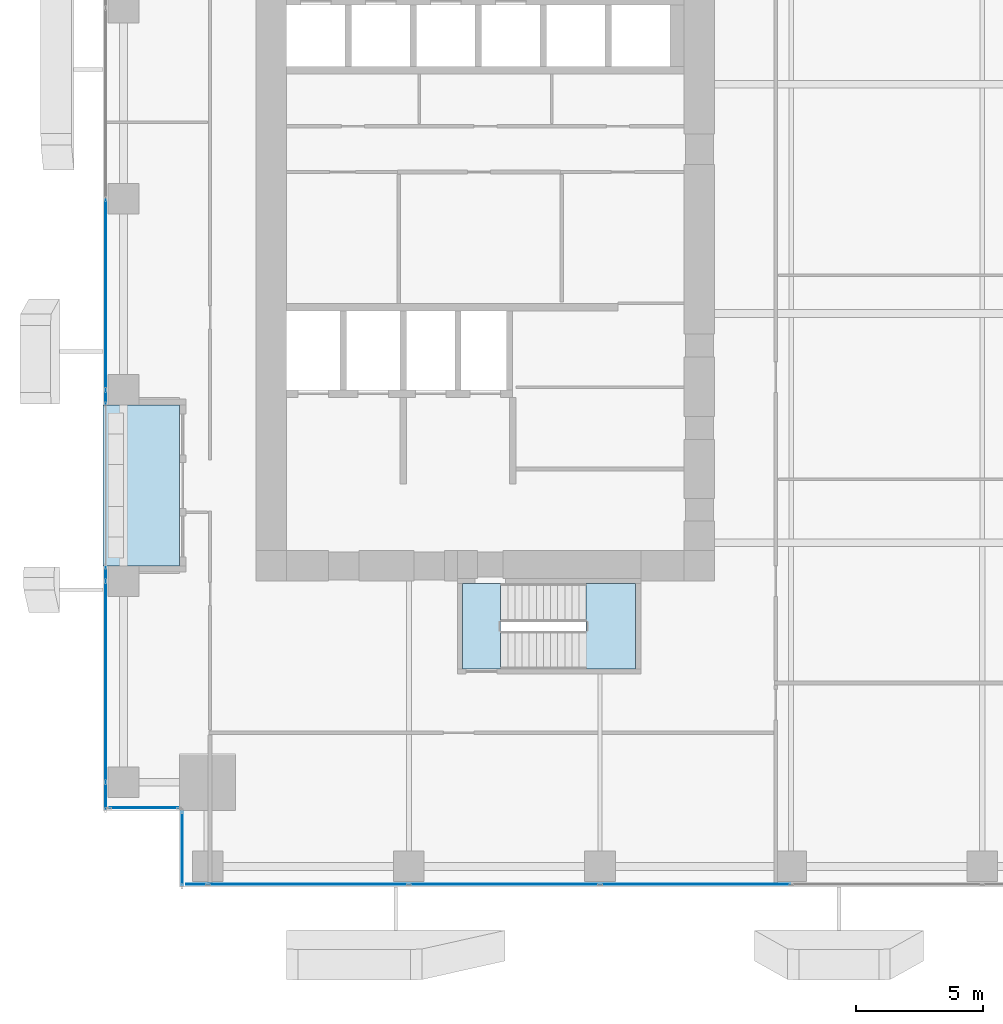
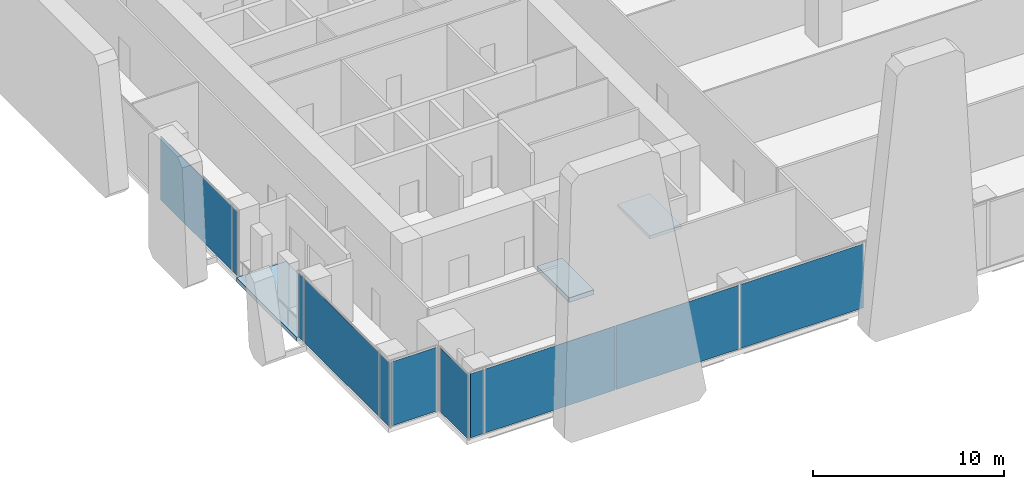
# One storey, part 22 of 34: 11 plates, 3 slabs, 6 elements without a shape of their own.
"""IFC4 building model written with IfcOpenShell, lengths in metres."""

from ifc_helpers import new_model, si_unit, direction, frame, origin, origin_2d, place, context, subcontext, project, spatial, polyline, rectangle, outline, extrude, source, transform, mapped, material, layer, layer_set, type_object, element, aggregate, save


model = new_model("IFC4")

# Units and contexts
model_context = context("Model", 3, precision=1e-05, world=origin(), true_north=direction((0.0, 1.0)))
body_context = subcontext(model_context, "Body", "Model", "MODEL_VIEW")
ifc_project = project(units=[si_unit("LENGTHUNIT", "METRE"), si_unit("AREAUNIT", "SQUARE_METRE"), si_unit("VOLUMEUNIT", "CUBIC_METRE"), si_unit("PLANEANGLEUNIT", "RADIAN"), si_unit("MASSUNIT", "GRAM", prefix="KILO")], contexts=[model_context])

# Site, building, storey
site_placement = place(None, origin())
site = spatial("IfcSite", under=ifc_project, at=site_placement, CompositionType="ELEMENT")
building_placement = place(site_placement, origin())
building = spatial("IfcBuilding", under=site, at=building_placement, Name="Khomas Fold Tower", CompositionType="ELEMENT")
storey_placement = place(building_placement, frame((0.0, 0.0, 51.0)))
storey = spatial("IfcBuildingStorey", under=building, at=storey_placement, Name="L10", CompositionType="ELEMENT", Elevation=51.0)

# Curtain wall, plates
ifc_material_1 = material(Name="Aluminium framed double glazing", Category="aluminium")
curtain_wall_type = type_object("IfcCurtainWallType", Name="SK-Unitised clear-glass wall, growing floors CW1", PredefinedType="NOTDEFINED", material=ifc_material_1)
curtain_wall_1_placement = place(storey_placement, origin())
curtain_wall_1 = element("IfcCurtainWall", 1, at=curtain_wall_1_placement, inside=storey, type_object=curtain_wall_type, Name="CW1 run L10 00-0", PredefinedType="NOTDEFINED")
ifc_material_2 = material(Name="Clear double glazed unit")
ifc_layer_1 = layer(ifc_material_2, 0.031982421875)
ifc_layer_set_1 = layer_set([ifc_layer_1], Name="Clear double glazed unit")
plate_type = type_object("IfcPlateType", Name="SK-Unitised clear-glass wall, growing floors glass panel CW1-P", PredefinedType="CURTAIN_PANEL", material=ifc_layer_set_1)
shared_shape_1 = source(origin(), body_context, "Body", "SweptSolid", [
    extrude(rectangle(XDim=0.81005859375, YDim=0.031982421875, at=origin_2d()), origin(), (0.0, 0.0, 1.0), 4.080078125),
])
plate_1_placement = place(storey_placement, frame((3.6650390625, 0.10009765625, 0.0), z_axis=(0.0, 0.0, 1.0), x_axis=(1.0, 0.0, 0.0)))
plate_1 = element("IfcPlate", 2, at=plate_1_placement, type_object=plate_type, Name="CW1 glass panel 1", PredefinedType="CURTAIN_PANEL", context=body_context, shape_type="MappedRepresentation", body=[
    mapped(shared_shape_1, transform((0.0, 0.0, 0.0))),
])
shared_shape_2 = source(origin(), body_context, "Body", "SweptSolid", [
    extrude(rectangle(XDim=7.840087890625, YDim=0.031982421875, at=origin_2d()), origin(), (0.0, 0.0, 1.0), 4.080078125),
])
plate_2_placement = place(storey_placement, frame((8.050048828125, 0.10009765625, 0.0), z_axis=(0.0, 0.0, 1.0), x_axis=(1.0, 0.0, 0.0)))
plate_2 = element("IfcPlate", 3, at=plate_2_placement, type_object=plate_type, Name="CW1 glass panel 2", PredefinedType="CURTAIN_PANEL", context=body_context, shape_type="MappedRepresentation", body=[
    mapped(shared_shape_2, transform((0.0, 0.0, 0.0))),
])

# Curtain wall, plate
curtain_wall_2_placement = place(storey_placement, origin())
curtain_wall_2 = element("IfcCurtainWall", 4, at=curtain_wall_2_placement, inside=storey, type_object=curtain_wall_type, Name="CW1 run L10 09-1", PredefinedType="NOTDEFINED")
plate_3_placement = place(storey_placement, frame((0.10009765625, 8.050048828125, 0.0), z_axis=(0.0, 0.0, 1.0), x_axis=(0.0, -1.0, 0.0)))
plate_3 = element("IfcPlate", 5, at=plate_3_placement, type_object=plate_type, Name="CW1 glass panel 2", PredefinedType="CURTAIN_PANEL", context=body_context, shape_type="MappedRepresentation", body=[
    mapped(shared_shape_2, transform((0.0, 0.0, 0.0))),
])

# Plate
shared_shape_3 = source(origin(), body_context, "Body", "SweptSolid", [
    extrude(rectangle(XDim=7.43994140625, YDim=0.031982421875, at=origin_2d()), origin(), (0.0, 0.0, 1.0), 4.080078125),
])
plate_4_placement = place(storey_placement, frame((15.75, 0.10009765625, 0.0), z_axis=(0.0, 0.0, 1.0), x_axis=(1.0, 0.0, 0.0)))
plate_4 = element("IfcPlate", 6, at=plate_4_placement, type_object=plate_type, Name="CW1 glass panel 3", PredefinedType="CURTAIN_PANEL", context=body_context, shape_type="MappedRepresentation", body=[
    mapped(shared_shape_3, transform((0.0, 0.0, 0.0))),
])

plate_5_placement = place(storey_placement, frame((23.25, 0.10009765625, 0.0), z_axis=(0.0, 0.0, 1.0), x_axis=(1.0, 0.0, 0.0)))
plate_5 = element("IfcPlate", 7, at=plate_5_placement, type_object=plate_type, Name="CW1 glass panel 4", PredefinedType="CURTAIN_PANEL", context=body_context, shape_type="MappedRepresentation", body=[
    mapped(shared_shape_3, transform((0.0, 0.0, 0.0))),
])

aggregate(curtain_wall_1, [plate_1, plate_2, plate_4, plate_5])

# Curtain wall, plate
curtain_wall_3_placement = place(storey_placement, origin())
curtain_wall_3 = element("IfcCurtainWall", 8, at=curtain_wall_3_placement, inside=storey, type_object=curtain_wall_type, Name="CW1 run L10 09-0", PredefinedType="NOTDEFINED")
plate_6_placement = place(storey_placement, frame((0.10009765625, 23.25, 0.0), z_axis=(0.0, 0.0, 1.0), x_axis=(0.0, -1.0, 0.0)))
plate_6 = element("IfcPlate", 9, at=plate_6_placement, type_object=plate_type, Name="CW1 glass panel 5", PredefinedType="CURTAIN_PANEL", context=body_context, shape_type="MappedRepresentation", body=[
    mapped(shared_shape_3, transform((0.0, 0.0, 0.0))),
])

# Plate
shared_shape_4 = source(origin(), body_context, "Body", "SweptSolid", [
    extrude(rectangle(XDim=1.010009765625, YDim=0.031982421875, at=origin_2d()), origin(), (0.0, 0.0, 1.0), 4.080078125),
])
plate_7_placement = place(storey_placement, frame((0.10009765625, 3.56494140625, 0.0), z_axis=(0.0, 0.0, 1.0), x_axis=(0.0, -1.0, 0.0)))
plate_7 = element("IfcPlate", 10, at=plate_7_placement, type_object=plate_type, Name="CW1 glass panel 3", PredefinedType="CURTAIN_PANEL", context=body_context, shape_type="MappedRepresentation", body=[
    mapped(shared_shape_4, transform((0.0, 0.0, 0.0))),
])

# Curtain wall, plate
curtain_wall_4_placement = place(storey_placement, origin())
curtain_wall_4 = element("IfcCurtainWall", 11, at=curtain_wall_4_placement, inside=storey, type_object=curtain_wall_type, Name="CW1 corner return L10 10", PredefinedType="NOTDEFINED")
shared_shape_5 = source(origin(), body_context, "Body", "SweptSolid", [
    extrude(rectangle(XDim=2.679931640625, YDim=0.031982421875, at=origin_2d()), origin(), (0.0, 0.0, 1.0), 4.080078125),
])
plate_8_placement = place(storey_placement, frame((1.60009765625, 3.10009765625, 0.0), z_axis=(0.0, 0.0, 1.0), x_axis=(1.0, 0.0, 0.0)))
plate_8 = element("IfcPlate", 12, at=plate_8_placement, type_object=plate_type, Name="CW1 glass panel 1", PredefinedType="CURTAIN_PANEL", context=body_context, shape_type="MappedRepresentation", body=[
    mapped(shared_shape_5, transform((0.0, 0.0, 0.0))),
])
aggregate(curtain_wall_4, [plate_8])

curtain_wall_5_placement = place(storey_placement, origin())
curtain_wall_5 = element("IfcCurtainWall", 13, at=curtain_wall_5_placement, inside=storey, type_object=curtain_wall_type, Name="CW1 corner return L10 11", PredefinedType="NOTDEFINED")
shared_shape_6 = source(origin(), body_context, "Body", "SweptSolid", [
    extrude(rectangle(XDim=2.8798828125, YDim=0.031982421875, at=origin_2d()), origin(), (0.0, 0.0, 1.0), 4.080078125),
])
plate_9_placement = place(storey_placement, frame((3.10009765625, 1.5, 0.0), z_axis=(0.0, 0.0, 1.0), x_axis=(0.0, -1.0, 0.0)))
plate_9 = element("IfcPlate", 14, at=plate_9_placement, type_object=plate_type, Name="CW1 glass panel 1", PredefinedType="CURTAIN_PANEL", context=body_context, shape_type="MappedRepresentation", body=[
    mapped(shared_shape_6, transform((0.0, 0.0, 0.0))),
])
aggregate(curtain_wall_5, [plate_9])

# Plate
shared_shape_7 = source(origin(), body_context, "Body", "SweptSolid", [
    extrude(rectangle(XDim=0.510009765625, YDim=0.031982421875, at=origin_2d()), origin(), (0.0, 0.0, 1.0), 4.080078125),
])
plate_10_placement = place(storey_placement, frame((0.10009765625, 19.215087890625, 0.0), z_axis=(0.0, 0.0, 1.0), x_axis=(0.0, -1.0, 0.0)))
plate_10 = element("IfcPlate", 15, at=plate_10_placement, type_object=plate_type, Name="CW1 glass panel 6", PredefinedType="CURTAIN_PANEL", context=body_context, shape_type="MappedRepresentation", body=[
    mapped(shared_shape_7, transform((0.0, 0.0, 0.0))),
])

aggregate(curtain_wall_3, [plate_6, plate_10])

plate_11_placement = place(storey_placement, frame((0.10009765625, 12.284912109375, 0.0), z_axis=(0.0, 0.0, 1.0), x_axis=(0.0, -1.0, 0.0)))
plate_11 = element("IfcPlate", 16, at=plate_11_placement, type_object=plate_type, Name="CW1 glass panel 1", PredefinedType="CURTAIN_PANEL", context=body_context, shape_type="MappedRepresentation", body=[
    mapped(shared_shape_7, transform((0.0, 0.0, 0.0))),
])

aggregate(curtain_wall_2, [plate_11, plate_3, plate_7])

# Slab
ifc_material_3 = material(Name="Concrete C40/50", Category="concrete")
ifc_layer_2 = layer(ifc_material_3, 0.2548828125)
ifc_layer_set_2 = layer_set([ifc_layer_2], Name="Concrete C40/50")
slab_type_1 = type_object("IfcSlabType", Name="BL-Balcony deck 255", PredefinedType="FLOOR", material=ifc_layer_set_2)
shared_shape_8 = source(origin(), body_context, "Body", "SweptSolid", [
    extrude(outline(polyline([(0.0, 12.60009765625), (3.0, 12.60009765625), (3.0, 18.89990234375), (0.0, 18.89990234375), (0.0, 12.60009765625)])), origin(), (0.0, 0.0, 1.0), 0.255126953125),
])
slab_1_placement = place(storey_placement, frame((0.0, 0.0, -0.300048828125)))
element("IfcSlab", 17, at=slab_1_placement, inside=storey, type_object=slab_type_1, Name="Balcony deck BAL-L10-W1", PredefinedType="FLOOR", context=body_context, shape_type="MappedRepresentation", body=[
    mapped(shared_shape_8, transform((0.0, 0.0, 0.0))),
])

# Stair, slab
ifc_material_4 = material(Name="Concrete C40/50", Category="concrete")
stair_type = type_object("IfcStairType", Name="Stair ST2", PredefinedType="HALF_TURN_STAIR", material=ifc_material_4)
stair_placement = place(storey_placement, origin())
stair = element("IfcStair", 18, at=stair_placement, inside=storey, type_object=stair_type, Name="L10 ST2", PredefinedType="HALF_TURN_STAIR")
ifc_material_5 = material(Name="Concrete C40/50", Category="concrete")
ifc_layer_3 = layer(ifc_material_5, 0.199951171875)
ifc_layer_set_3 = layer_set([ifc_layer_3], Name="Concrete C40/50")
slab_type_2 = type_object("IfcSlabType", Name="Stair landing 200", PredefinedType="LANDING", material=ifc_layer_set_3)
shared_shape_9 = source(origin(), body_context, "Body", "SweptSolid", [
    extrude(outline(polyline([(18.9599609375, 8.550048828125), (20.89990234375, 8.550048828125), (20.89990234375, 11.89990234375), (18.9599609375, 11.89990234375), (18.9599609375, 8.550048828125)])), origin(), (0.0, 0.0, 1.0), 0.199951171875),
])
slab_2_placement = place(storey_placement, frame((0.0, 0.0, 2.050048828125)))
slab_2 = element("IfcSlab", 19, at=slab_2_placement, type_object=slab_type_2, Name="ST2 landing 1", PredefinedType="LANDING", context=body_context, shape_type="MappedRepresentation", body=[
    mapped(shared_shape_9, transform((0.0, 0.0, 0.0))),
])
aggregate(stair, [slab_2])

# Slab
ifc_material_6 = material(Name="Concrete C40/50", Category="concrete")
ifc_layer_4 = layer(ifc_material_6, 0.300048828125)
ifc_layer_set_4 = layer_set([ifc_layer_4], Name="Concrete C40/50")
slab_type_3 = type_object("IfcSlabType", Name="Stair floor landing 300", PredefinedType="LANDING", material=ifc_layer_set_4)
shared_shape_10 = source(origin(), body_context, "Body", "SweptSolid", [
    extrude(outline(polyline([(15.60009765625, 8.550048828125), (14.10009765625, 8.550048828125), (14.10009765625, 11.89990234375), (15.60009765625, 11.89990234375), (15.60009765625, 8.550048828125)])), origin(), (0.0, 0.0, 1.0), 0.300048828125),
])
slab_3_placement = place(storey_placement, frame((0.0, 0.0, -0.300048828125)))
element("IfcSlab", 20, at=slab_3_placement, inside=storey, type_object=slab_type_3, Name="ST2 floor landing", PredefinedType="LANDING", context=body_context, shape_type="MappedRepresentation", body=[
    mapped(shared_shape_10, transform((0.0, 0.0, 0.0))),
])

save(model, "model.ifc")
